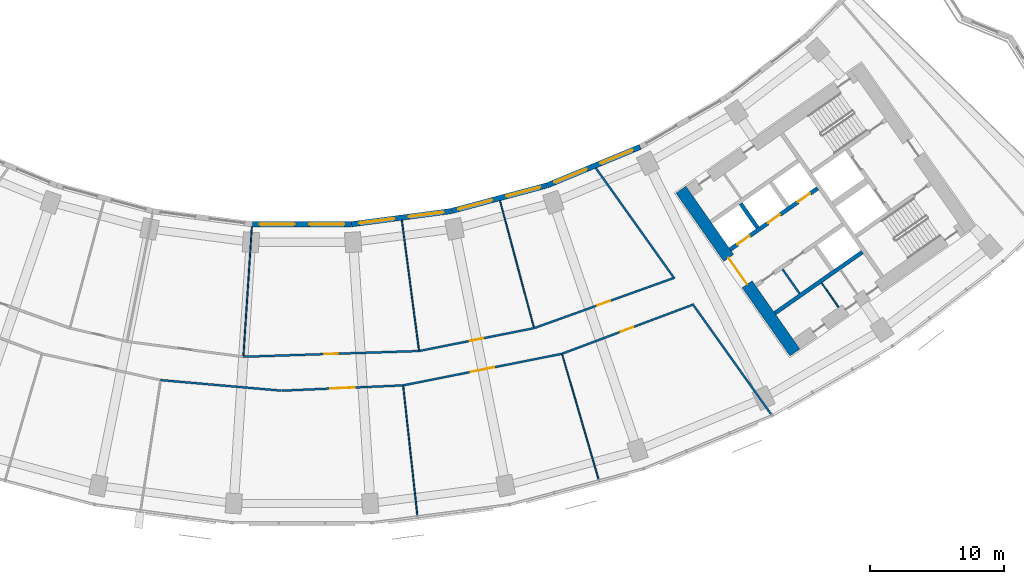
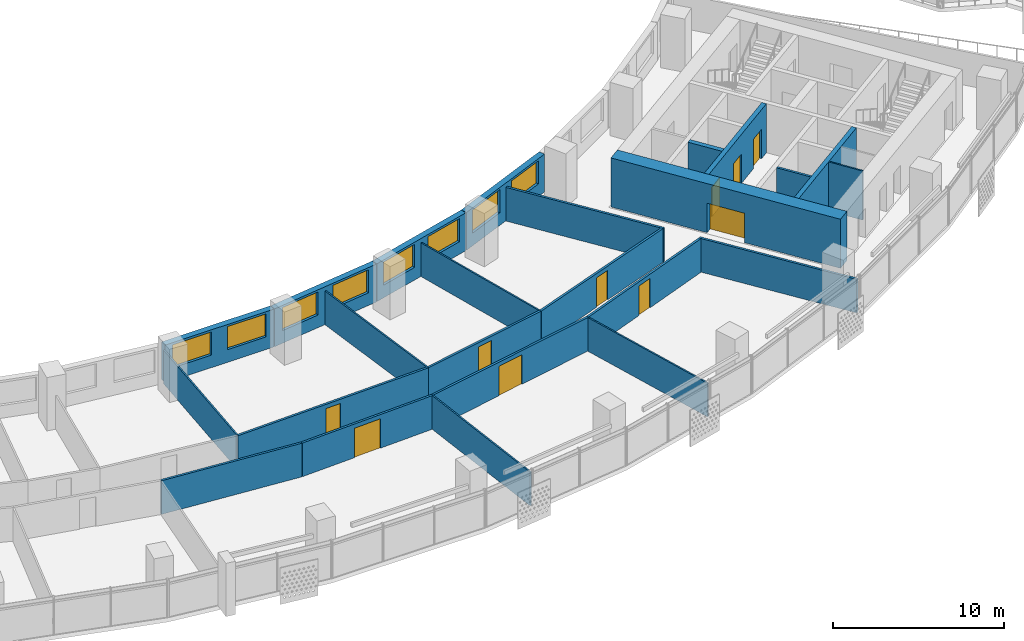
# One storey, part 6 of 30: 24 walls, 10 doors, 8 windows, 18 openings.
"""IFC4 building model written with IfcOpenShell, lengths in metres."""

from ifc_helpers import new_model, si_unit, direction, frame, frame_2d, origin, place, context, subcontext, project, spatial, rectangle, extrude, material, layer, layer_set, type_object, element, fill, save


model = new_model("IFC4")

# Units and contexts
model_context = context("Model", 3, precision=1e-05, world=origin(), true_north=direction((0.0, 1.0)))
body_context = subcontext(model_context, "Body", "Model", "MODEL_VIEW")
ifc_project = project(units=[si_unit("LENGTHUNIT", "METRE"), si_unit("AREAUNIT", "SQUARE_METRE"), si_unit("VOLUMEUNIT", "CUBIC_METRE"), si_unit("PLANEANGLEUNIT", "RADIAN"), si_unit("MASSUNIT", "GRAM", prefix="KILO")], contexts=[model_context])

# Site, building, storey
site_placement = place(None, origin())
site = spatial("IfcSite", under=ifc_project, at=site_placement, CompositionType="ELEMENT")
building_placement = place(site_placement, origin())
building = spatial("IfcBuilding", under=site, at=building_placement, Name="Qamariyya Broadcast Tower", CompositionType="ELEMENT")
storey_placement = place(building_placement, frame((0.0, 0.0, 98.699951171875)))
storey = spatial("IfcBuildingStorey", under=building, at=storey_placement, Name="L21", CompositionType="ELEMENT", Elevation=98.699951171875)

# Wall, opening, door
ifc_material_1 = material(Name="Concrete C70/85", Category="concrete")
ifc_layer_1 = layer(ifc_material_1, 0.89990234375)
ifc_layer_set_1 = layer_set([ifc_layer_1], Name="Core wall 900 mm Concrete C70/85")
wall_type_1 = type_object("IfcWallType", Name="Core wall 900 mm Concrete C70/85", PredefinedType="SHEAR", material=ifc_layer_set_1)
wall_1_placement = place(storey_placement, frame((36.716796875, -66.3369140625, 0.0), z_axis=(0.0, 0.0, 1.0), x_axis=(-0.573577477574, 0.819151315216, 0.0)))
wall_1 = element("IfcWall", 1, at=wall_1_placement, inside=storey, type_object=wall_type_1, Name="k-E-L21-WA", PredefinedType="SHEAR", context=body_context, shape_type="SweptSolid", body=[
    extrude(rectangle(XDim=14.800048828125, YDim=0.89990234375, at=frame_2d((7.39990234375, 0.0))), origin(), (0.0, 0.0, 1.0), 3.5),
])
opening_1_placement = place(wall_1_placement, frame((6.199951171875, 0.0, 0.0)))
opening_1 = element("IfcOpeningElement", 2, at=opening_1_placement, cuts=wall_1, Name="Opening KD3-E1", PredefinedType="OPENING", context=body_context, shape_type="SweptSolid", body=[
    extrude(rectangle(XDim=2.39990234375, YDim=2.10009765625, at=frame_2d((1.199951171875, 1.050048828125))), frame((0.0, 0.4599609375, 0.0), z_axis=(0.0, -1.0, 0.0), x_axis=(1.0, 0.0, 0.0)), (0.0, 0.0, 1.0), 0.919921875),
])
ifc_material_2 = material(Name="Steel fire-resisting door leaf", Category="steel")
door_type_1 = type_object("IfcDoorType", Name="Lift lobby door KD3", OperationType="DOUBLE_DOOR_SINGLE_SWING", PredefinedType="DOOR", material=ifc_material_2)
door_1_placement = place(opening_1_placement, origin())
door_1 = element("IfcDoor", 3, at=door_1_placement, inside=storey, type_object=door_type_1, Name="k-E-L21-WA-D1", OperationType="DOUBLE_DOOR_SINGLE_SWING", OverallHeight=2.10009765625, OverallWidth=2.39990234375, PredefinedType="DOOR", context=body_context, shape_type="SweptSolid", body=[
    extrude(rectangle(XDim=2.39990234375, YDim=2.10009765625, at=frame_2d((1.199951171875, 1.050048828125))), frame((0.0, 0.02490234375, 0.0), z_axis=(0.0, -1.0, 0.0), x_axis=(1.0, 0.0, 0.0)), (0.0, 0.0, 1.0), 0.050048828125),
])
fill(opening_1, door_1)

# Wall
ifc_material_3 = material(Name="Gypsum board partition")
ifc_layer_2 = layer(ifc_material_3, 0.14990234375)
ifc_layer_set_2 = layer_set([ifc_layer_2], Name="Corridor partition 150 EI 60")
wall_type_2 = type_object("IfcWallType", Name="Corridor partition 150 EI 60", PredefinedType="PARTITIONING", material=ifc_layer_set_2)
wall_2_placement = place(storey_placement, frame((-10.52880859375, -68.394287109375, 0.0), z_axis=(0.0, 0.0, 1.0), x_axis=(0.996191402343, -0.087193405131, 0.0)))
element("IfcWall", 4, at=wall_2_placement, inside=storey, type_object=wall_type_2, Name="Partition L21-019", PredefinedType="PARTITIONING", context=body_context, shape_type="SweptSolid", body=[
    extrude(rectangle(XDim=9.0439453125, YDim=0.14990234375, at=frame_2d((4.52197265625, 0.0))), origin(), (0.0, 0.0, 1.0), 2.400146484375),
])

# Wall, opening, door
wall_3_placement = place(storey_placement, frame((-4.368896484375, -66.656982421875, 0.0), z_axis=(0.0, 0.0, 1.0), x_axis=(0.999464573422, 0.032719512141, 0.0)))
wall_3 = element("IfcWall", 5, at=wall_3_placement, inside=storey, type_object=wall_type_2, Name="Partition L21-020", PredefinedType="PARTITIONING", context=body_context, shape_type="SweptSolid", body=[
    extrude(rectangle(XDim=13.09521484375, YDim=0.14990234375, at=frame_2d((6.547607421875, 0.0))), origin(), (0.0, 0.0, 1.0), 2.400146484375),
])
opening_2_placement = place(wall_3_placement, frame((6.047607421875, 0.0, 0.0)))
opening_2 = element("IfcOpeningElement", 6, at=opening_2_placement, cuts=wall_3, Name="Opening L21-D09", PredefinedType="OPENING", context=body_context, shape_type="SweptSolid", body=[
    extrude(rectangle(XDim=1.0, YDim=2.10009765625, at=frame_2d((0.5, 1.050048828125))), frame((0.0, 0.0849609375, 0.0), z_axis=(0.0, -1.0, 0.0), x_axis=(1.0, 0.0, 0.0)), (0.0, 0.0, 1.0), 0.169921875),
])
ifc_material_4 = material(Name="Timber fire door leaf", Category="wood")
door_type_2 = type_object("IfcDoorType", Name="Fire door 1000 x 2100 FD60", OperationType="NOTDEFINED", PredefinedType="DOOR", material=ifc_material_4)
door_2_placement = place(opening_2_placement, origin())
door_2 = element("IfcDoor", 7, at=door_2_placement, inside=storey, type_object=door_type_2, Name="Door L21-D09", OperationType="SINGLE_SWING_RIGHT", OverallHeight=2.10009765625, OverallWidth=1.0, PredefinedType="DOOR", context=body_context, shape_type="SweptSolid", body=[
    extrude(rectangle(XDim=1.0, YDim=2.10009765625, at=frame_2d((0.5, 1.050048828125))), frame((0.0, 0.02490234375, 0.0), z_axis=(0.0, -1.0, 0.0), x_axis=(1.0, 0.0, 0.0)), (0.0, 0.0, 1.0), 0.050048828125),
])
fill(opening_2, door_2)

wall_4_placement = place(storey_placement, frame((7.53173828125, -68.788818359375, 0.0), z_axis=(0.0, 0.0, 1.0), x_axis=(-0.999049218693, -0.043596543765, 0.0)))
wall_4 = element("IfcWall", 8, at=wall_4_placement, inside=storey, type_object=wall_type_2, Name="Partition L21-022", PredefinedType="PARTITIONING", context=body_context, shape_type="SweptSolid", body=[
    extrude(rectangle(XDim=9.0439453125, YDim=0.14990234375, at=frame_2d((4.52197265625, 0.0))), origin(), (0.0, 0.0, 1.0), 2.400146484375),
])
opening_3_placement = place(wall_4_placement, frame((3.621826171875, 0.0, 0.0)))
opening_3 = element("IfcOpeningElement", 9, at=opening_3_placement, cuts=wall_4, Name="Opening L21-D03", PredefinedType="OPENING", context=body_context, shape_type="SweptSolid", body=[
    extrude(rectangle(XDim=1.800048828125, YDim=2.10009765625, at=frame_2d((0.89990234375, 1.050048828125))), frame((0.0, 0.0849609375, 0.0), z_axis=(0.0, -1.0, 0.0), x_axis=(1.0, 0.0, 0.0)), (0.0, 0.0, 1.0), 0.169921875),
])
door_type_3 = type_object("IfcDoorType", Name="Double fire door 1800 x 2100 FD60", OperationType="NOTDEFINED", PredefinedType="DOOR", material=ifc_material_4)
door_3_placement = place(opening_3_placement, origin())
door_3 = element("IfcDoor", 10, at=door_3_placement, inside=storey, type_object=door_type_3, Name="Door L21-D03", OperationType="DOUBLE_DOOR_SINGLE_SWING", OverallHeight=2.10009765625, OverallWidth=1.800048828125, PredefinedType="DOOR", context=body_context, shape_type="SweptSolid", body=[
    extrude(rectangle(XDim=1.800048828125, YDim=2.10009765625, at=frame_2d((0.89990234375, 1.050048828125))), frame((0.0, 0.02490234375, 0.0), z_axis=(0.0, -1.0, 0.0), x_axis=(1.0, 0.0, 0.0)), (0.0, 0.0, 1.0), 0.050048828125),
])
fill(opening_3, door_3)

wall_5_placement = place(storey_placement, frame((19.365966796875, -66.434814453125, 0.0), z_axis=(0.0, 0.0, 1.0), x_axis=(-0.980784812657, -0.195092673522, 0.0)))
wall_5 = element("IfcWall", 11, at=wall_5_placement, inside=storey, type_object=wall_type_2, Name="Partition L21-024", PredefinedType="PARTITIONING", context=body_context, shape_type="SweptSolid", body=[
    extrude(rectangle(XDim=12.066162109375, YDim=0.14990234375, at=frame_2d((6.033203125, 0.0))), origin(), (0.0, 0.0, 1.0), 2.400146484375),
])
opening_4_placement = place(wall_5_placement, frame((5.133056640625, 0.0, 0.0)))
opening_4 = element("IfcOpeningElement", 12, at=opening_4_placement, cuts=wall_5, Name="Opening L21-D04", PredefinedType="OPENING", context=body_context, shape_type="SweptSolid", body=[
    extrude(rectangle(XDim=1.800048828125, YDim=2.10009765625, at=frame_2d((0.89990234375, 1.050048828125))), frame((0.0, 0.0849609375, 0.0), z_axis=(0.0, -1.0, 0.0), x_axis=(1.0, 0.0, 0.0)), (0.0, 0.0, 1.0), 0.169921875),
])
door_4_placement = place(opening_4_placement, origin())
door_4 = element("IfcDoor", 13, at=door_4_placement, inside=storey, type_object=door_type_3, Name="Door L21-D04", OperationType="DOUBLE_DOOR_SINGLE_SWING", OverallHeight=2.10009765625, OverallWidth=1.800048828125, PredefinedType="DOOR", context=body_context, shape_type="SweptSolid", body=[
    extrude(rectangle(XDim=1.800048828125, YDim=2.10009765625, at=frame_2d((0.89990234375, 1.050048828125))), frame((0.0, 0.02490234375, 0.0), z_axis=(0.0, -1.0, 0.0), x_axis=(1.0, 0.0, 0.0)), (0.0, 0.0, 1.0), 0.050048828125),
])
fill(opening_4, door_4)

wall_6_placement = place(storey_placement, frame((8.71923828125, -66.228515625, 0.0), z_axis=(0.0, 0.0, 1.0), x_axis=(0.980786466832, 0.195084357342, 0.0)))
wall_6 = element("IfcWall", 14, at=wall_6_placement, inside=storey, type_object=wall_type_2, Name="Partition L21-026", PredefinedType="PARTITIONING", context=body_context, shape_type="SweptSolid", body=[
    extrude(rectangle(XDim=8.73779296875, YDim=0.14990234375, at=frame_2d((4.368896484375, 0.0))), origin(), (0.0, 0.0, 1.0), 2.400146484375),
])
opening_5_placement = place(wall_6_placement, frame((3.868896484375, 0.0, 0.0)))
opening_5 = element("IfcOpeningElement", 15, at=opening_5_placement, cuts=wall_6, Name="Opening L21-D10", PredefinedType="OPENING", context=body_context, shape_type="SweptSolid", body=[
    extrude(rectangle(XDim=1.0, YDim=2.10009765625, at=frame_2d((0.5, 1.050048828125))), frame((0.0, 0.0849609375, 0.0), z_axis=(0.0, -1.0, 0.0), x_axis=(1.0, 0.0, 0.0)), (0.0, 0.0, 1.0), 0.169921875),
])
door_5_placement = place(opening_5_placement, origin())
door_5 = element("IfcDoor", 16, at=door_5_placement, inside=storey, type_object=door_type_2, Name="Door L21-D10", OperationType="SINGLE_SWING_RIGHT", OverallHeight=2.10009765625, OverallWidth=1.0, PredefinedType="DOOR", context=body_context, shape_type="SweptSolid", body=[
    extrude(rectangle(XDim=1.0, YDim=2.10009765625, at=frame_2d((0.5, 1.050048828125))), frame((0.0, 0.02490234375, 0.0), z_axis=(0.0, -1.0, 0.0), x_axis=(1.0, 0.0, 0.0)), (0.0, 0.0, 1.0), 0.050048828125),
])
fill(opening_5, door_5)

wall_7_placement = place(storey_placement, frame((17.2890625, -64.52392578125, 0.0), z_axis=(0.0, 0.0, 1.0), x_axis=(0.941150861554, 0.337986768669, 0.0)))
wall_7 = element("IfcWall", 17, at=wall_7_placement, inside=storey, type_object=wall_type_2, Name="Partition L21-028", PredefinedType="PARTITIONING", context=body_context, shape_type="SweptSolid", body=[
    extrude(rectangle(XDim=10.998291015625, YDim=0.14990234375, at=frame_2d((5.4990234375, 0.0))), origin(), (0.0, 0.0, 1.0), 2.400146484375),
])
opening_6_placement = place(wall_7_placement, frame((4.9990234375, 0.0, 0.0)))
opening_6 = element("IfcOpeningElement", 18, at=opening_6_placement, cuts=wall_7, Name="Opening L21-D11", PredefinedType="OPENING", context=body_context, shape_type="SweptSolid", body=[
    extrude(rectangle(XDim=1.0, YDim=2.10009765625, at=frame_2d((0.5, 1.050048828125))), frame((0.0, 0.0849609375, 0.0), z_axis=(0.0, -1.0, 0.0), x_axis=(1.0, 0.0, 0.0)), (0.0, 0.0, 1.0), 0.169921875),
])
door_6_placement = place(opening_6_placement, origin())
door_6 = element("IfcDoor", 19, at=door_6_placement, inside=storey, type_object=door_type_2, Name="Door L21-D11", OperationType="SINGLE_SWING_RIGHT", OverallHeight=2.10009765625, OverallWidth=1.0, PredefinedType="DOOR", context=body_context, shape_type="SweptSolid", body=[
    extrude(rectangle(XDim=1.0, YDim=2.10009765625, at=frame_2d((0.5, 1.050048828125))), frame((0.0, 0.02490234375, 0.0), z_axis=(0.0, -1.0, 0.0), x_axis=(1.0, 0.0, 0.0)), (0.0, 0.0, 1.0), 0.050048828125),
])
fill(opening_6, door_6)

wall_8_placement = place(storey_placement, frame((29.057373046875, -62.797607421875, 0.0), z_axis=(0.0, 0.0, 1.0), x_axis=(-0.936236096431, -0.351371557956, 0.0)))
wall_8 = element("IfcWall", 20, at=wall_8_placement, inside=storey, type_object=wall_type_2, Name="Partition L21-029", PredefinedType="PARTITIONING", context=body_context, shape_type="SweptSolid", body=[
    extrude(rectangle(XDim=10.3515625, YDim=0.14990234375, at=frame_2d((5.17578125, 0.0))), origin(), (0.0, 0.0, 1.0), 2.400146484375),
])
opening_7_placement = place(wall_8_placement, frame((4.67578125, 0.0, 0.0)))
opening_7 = element("IfcOpeningElement", 21, at=opening_7_placement, cuts=wall_8, Name="Opening L21-D05", PredefinedType="OPENING", context=body_context, shape_type="SweptSolid", body=[
    extrude(rectangle(XDim=1.0, YDim=2.10009765625, at=frame_2d((0.5, 1.050048828125))), frame((0.0, 0.0849609375, 0.0), z_axis=(0.0, -1.0, 0.0), x_axis=(1.0, 0.0, 0.0)), (0.0, 0.0, 1.0), 0.169921875),
])
door_7_placement = place(opening_7_placement, origin())
door_7 = element("IfcDoor", 22, at=door_7_placement, inside=storey, type_object=door_type_2, Name="Door L21-D05", OperationType="SINGLE_SWING_RIGHT", OverallHeight=2.10009765625, OverallWidth=1.0, PredefinedType="DOOR", context=body_context, shape_type="SweptSolid", body=[
    extrude(rectangle(XDim=1.0, YDim=2.10009765625, at=frame_2d((0.5, 1.050048828125))), frame((0.0, 0.02490234375, 0.0), z_axis=(0.0, -1.0, 0.0), x_axis=(1.0, 0.0, 0.0)), (0.0, 0.0, 1.0), 0.050048828125),
])
fill(opening_7, door_7)

# Walls
wall_9_placement = place(storey_placement, frame((21.8837890625, -52.59765625, 0.0), z_axis=(0.0, 0.0, 1.0), x_axis=(0.580016763963, -0.814604538118, 0.0)))
element("IfcWall", 23, at=wall_9_placement, inside=storey, type_object=wall_type_2, Name="Partition L21-030", PredefinedType="PARTITIONING", context=body_context, shape_type="SweptSolid", body=[
    extrude(rectangle(XDim=10.12109375, YDim=0.14990234375, at=frame_2d((5.060546875, 0.0))), origin(), (0.0, 0.0, 1.0), 2.400146484375),
])
wall_10_placement = place(storey_placement, frame((29.083984375, -62.710205078125, 0.0), z_axis=(0.0, 0.0, 1.0), x_axis=(0.580031092611, -0.814594335608, 0.0)))
element("IfcWall", 24, at=wall_10_placement, inside=storey, type_object=wall_type_2, Name="Partition L21-032", PredefinedType="PARTITIONING", context=body_context, shape_type="SweptSolid", body=[
    extrude(rectangle(XDim=10.126220703125, YDim=0.14990234375, at=frame_2d((5.06298828125, 0.0))), origin(), (0.0, 0.0, 1.0), 2.400146484375),
])
ifc_material_5 = material(Name="Gypsum board partition on steel studs", Category="steel")
ifc_layer_3 = layer(ifc_material_5, 0.14990234375)
ifc_layer_set_3 = layer_set([ifc_layer_3], Name="Gypsum board partition 150 mm")
wall_type_3 = type_object("IfcWallType", Name="Gypsum board partition 150 mm", PredefinedType="PARTITIONING", material=ifc_layer_set_3)
wall_11_placement = place(storey_placement, frame((35.79833984375, -60.143798828125, 0.0), z_axis=(0.0, 0.0, 1.0), x_axis=(0.573633636671, -0.819111989218, 0.0)))
element("IfcWall", 25, at=wall_11_placement, inside=storey, type_object=wall_type_3, Name="k-E-L21-SC235", PredefinedType="PARTITIONING", context=body_context, shape_type="SweptSolid", body=[
    extrude(rectangle(XDim=2.199951171875, YDim=0.14990234375, at=frame_2d((1.10009765625, 0.0))), origin(), (0.0, 0.0, 1.0), 3.5),
])

# Wall, openings, doors
ifc_material_6 = material(Name="Concrete C60/75", Category="concrete")
ifc_layer_4 = layer(ifc_material_6, 0.300048828125)
ifc_layer_set_4 = layer_set([ifc_layer_4], Name="Lift shaft wall 300 mm Concrete C60/75")
wall_type_4 = type_object("IfcWallType", Name="Lift shaft wall 300 mm Concrete C60/75", PredefinedType="SOLIDWALL", material=ifc_layer_set_4)
wall_12_placement = place(storey_placement, frame((31.89453125, -58.66552734375, 0.0), z_axis=(0.0, 0.0, 1.0), x_axis=(0.819166993208, 0.573555086491, 0.0)))
wall_12 = element("IfcWall", 26, at=wall_12_placement, inside=storey, type_object=wall_type_4, Name="k-E-L21-NF0", PredefinedType="SOLIDWALL", context=body_context, shape_type="SweptSolid", body=[
    extrude(rectangle(XDim=7.9501953125, YDim=0.300048828125, at=frame_2d((3.97509765625, 0.0))), origin(), (0.0, 0.0, 1.0), 3.5),
])
opening_8_placement = place(wall_12_placement, frame((0.675048828125, 0.0, 0.0)))
opening_8 = element("IfcOpeningElement", 27, at=opening_8_placement, cuts=wall_12, Name="Opening LD", PredefinedType="OPENING", context=body_context, shape_type="SweptSolid", body=[
    extrude(rectangle(XDim=1.10009765625, YDim=2.10009765625, at=frame_2d((0.550048828125, 1.050048828125))), frame((0.0, 0.159912109375, 0.0), z_axis=(0.0, -1.0, 0.0), x_axis=(1.0, 0.0, 0.0)), (0.0, 0.0, 1.0), 0.320068359375),
])
opening_9_placement = place(wall_12_placement, frame((3.425048828125, 0.0, 0.0)))
opening_9 = element("IfcOpeningElement", 28, at=opening_9_placement, cuts=wall_12, Name="Opening LD", PredefinedType="OPENING", context=body_context, shape_type="SweptSolid", body=[
    extrude(rectangle(XDim=1.10009765625, YDim=2.10009765625, at=frame_2d((0.550048828125, 1.050048828125))), frame((0.0, 0.159912109375, 0.0), z_axis=(0.0, -1.0, 0.0), x_axis=(1.0, 0.0, 0.0)), (0.0, 0.0, 1.0), 0.320068359375),
])
opening_10_placement = place(wall_12_placement, frame((6.175048828125, 0.0, 0.0)))
opening_10 = element("IfcOpeningElement", 29, at=opening_10_placement, cuts=wall_12, Name="Opening LD", PredefinedType="OPENING", context=body_context, shape_type="SweptSolid", body=[
    extrude(rectangle(XDim=1.10009765625, YDim=2.10009765625, at=frame_2d((0.550048828125, 1.050048828125))), frame((0.0, 0.159912109375, 0.0), z_axis=(0.0, -1.0, 0.0), x_axis=(1.0, 0.0, 0.0)), (0.0, 0.0, 1.0), 0.320068359375),
])
door_type_4 = type_object("IfcDoorType", Name="Lift landing door LD", OperationType="DOUBLE_DOOR_SLIDING", PredefinedType="DOOR", material=ifc_material_2)
door_8_placement = place(opening_8_placement, origin())
door_8 = element("IfcDoor", 30, at=door_8_placement, inside=storey, type_object=door_type_4, Name="k-E-L21-NF0-D2", OperationType="DOUBLE_DOOR_SLIDING", OverallHeight=2.10009765625, OverallWidth=1.10009765625, PredefinedType="DOOR", context=body_context, shape_type="SweptSolid", body=[
    extrude(rectangle(XDim=1.10009765625, YDim=2.10009765625, at=frame_2d((0.550048828125, 1.050048828125))), frame((0.0, 0.02490234375, 0.0), z_axis=(0.0, -1.0, 0.0), x_axis=(1.0, 0.0, 0.0)), (0.0, 0.0, 1.0), 0.050048828125),
])
fill(opening_8, door_8)
door_9_placement = place(opening_9_placement, origin())
door_9 = element("IfcDoor", 31, at=door_9_placement, inside=storey, type_object=door_type_4, Name="k-E-L21-NF0-D3", OperationType="DOUBLE_DOOR_SLIDING", OverallHeight=2.10009765625, OverallWidth=1.10009765625, PredefinedType="DOOR", context=body_context, shape_type="SweptSolid", body=[
    extrude(rectangle(XDim=1.10009765625, YDim=2.10009765625, at=frame_2d((0.550048828125, 1.050048828125))), frame((0.0, 0.02490234375, 0.0), z_axis=(0.0, -1.0, 0.0), x_axis=(1.0, 0.0, 0.0)), (0.0, 0.0, 1.0), 0.050048828125),
])
fill(opening_9, door_9)
door_10_placement = place(opening_10_placement, origin())
door_10 = element("IfcDoor", 32, at=door_10_placement, inside=storey, type_object=door_type_4, Name="k-E-L21-NF0-D4", OperationType="DOUBLE_DOOR_SLIDING", OverallHeight=2.10009765625, OverallWidth=1.10009765625, PredefinedType="DOOR", context=body_context, shape_type="SweptSolid", body=[
    extrude(rectangle(XDim=1.10009765625, YDim=2.10009765625, at=frame_2d((0.550048828125, 1.050048828125))), frame((0.0, 0.02490234375, 0.0), z_axis=(0.0, -1.0, 0.0), x_axis=(1.0, 0.0, 0.0)), (0.0, 0.0, 1.0), 0.050048828125),
])
fill(opening_10, door_10)

# Walls
wall_13_placement = place(storey_placement, frame((33.9384765625, -57.051513671875, 0.0), z_axis=(0.0, 0.0, 1.0), x_axis=(-0.573581496053, 0.819148501424, 0.0)))
element("IfcWall", 33, at=wall_13_placement, inside=storey, type_object=wall_type_4, Name="k-E-L21-ND0", PredefinedType="SOLIDWALL", context=body_context, shape_type="SweptSolid", body=[
    extrude(rectangle(XDim=2.2001953125, YDim=0.300048828125, at=frame_2d((1.10009765625, 0.0))), origin(), (0.0, 0.0, 1.0), 3.5),
])
wall_14_placement = place(storey_placement, frame((35.22119140625, -63.41650390625, 0.0), z_axis=(0.0, 0.0, 1.0), x_axis=(0.819166993208, 0.573555086491, 0.0)))
element("IfcWall", 34, at=wall_14_placement, inside=storey, type_object=wall_type_4, Name="k-E-L21-SB0", PredefinedType="SOLIDWALL", context=body_context, shape_type="SweptSolid", body=[
    extrude(rectangle(XDim=7.9501953125, YDim=0.300048828125, at=frame_2d((3.97509765625, 0.0))), origin(), (0.0, 0.0, 1.0), 3.5),
])
ifc_layer_5 = layer(ifc_material_3, 0.10009765625)
ifc_layer_set_5 = layer_set([ifc_layer_5], Name="Partition 100")
wall_type_5 = type_object("IfcWallType", Name="Partition 100", PredefinedType="PARTITIONING", material=ifc_layer_set_5)
wall_15_placement = place(storey_placement, frame((-3.734619140625, -56.977783203125, 0.0), z_axis=(0.0, 0.0, 1.0), x_axis=(-0.065392665599, -0.997859609006, 0.0)))
element("IfcWall", 35, at=wall_15_placement, inside=storey, type_object=wall_type_5, Name="Partition L21-021", PredefinedType="PARTITIONING", context=body_context, shape_type="SweptSolid", body=[
    extrude(rectangle(XDim=9.624755859375, YDim=0.10009765625, at=frame_2d((4.8125, 0.0))), origin(), (0.0, 0.0, 1.0), 2.400146484375),
])
wall_16_placement = place(storey_placement, frame((7.437255859375, -56.4912109375, 0.0), z_axis=(0.0, 0.0, 1.0), x_axis=(0.13053421433, -0.99144380521, 0.0)))
element("IfcWall", 36, at=wall_16_placement, inside=storey, type_object=wall_type_5, Name="Partition L21-023", PredefinedType="PARTITIONING", context=body_context, shape_type="SweptSolid", body=[
    extrude(rectangle(XDim=9.746337890625, YDim=0.10009765625, at=frame_2d((4.873046875, 0.0))), origin(), (0.0, 0.0, 1.0), 2.400146484375),
])
wall_17_placement = place(storey_placement, frame((8.5927734375, -78.47998046875, 0.0), z_axis=(0.0, 0.0, 1.0), x_axis=(-0.10884699726, 0.994058514972, 0.0)))
element("IfcWall", 37, at=wall_17_placement, inside=storey, type_object=wall_type_5, Name="Partition L21-025", PredefinedType="PARTITIONING", context=body_context, shape_type="SweptSolid", body=[
    extrude(rectangle(XDim=9.673828125, YDim=0.10009765625, at=frame_2d((4.8369140625, 0.0))), origin(), (0.0, 0.0, 1.0), 2.400146484375),
])
wall_18_placement = place(storey_placement, frame((14.7470703125, -55.037109375, 0.0), z_axis=(0.0, 0.0, 1.0), x_axis=(0.258833329344, -0.965921998725, 0.0)))
element("IfcWall", 38, at=wall_18_placement, inside=storey, type_object=wall_type_5, Name="Partition L21-027", PredefinedType="PARTITIONING", context=body_context, shape_type="SweptSolid", body=[
    extrude(rectangle(XDim=9.746337890625, YDim=0.10009765625, at=frame_2d((4.873046875, 0.0))), origin(), (0.0, 0.0, 1.0), 2.400146484375),
])
wall_19_placement = place(storey_placement, frame((22.09423828125, -75.79443359375, 0.0), z_axis=(0.0, 0.0, 1.0), x_axis=(-0.279846881911, 0.960044646194, 0.0)))
element("IfcWall", 39, at=wall_19_placement, inside=storey, type_object=wall_type_5, Name="Partition L21-031", PredefinedType="PARTITIONING", context=body_context, shape_type="SweptSolid", body=[
    extrude(rectangle(XDim=9.674072265625, YDim=0.10009765625, at=frame_2d((4.8369140625, 0.0))), origin(), (0.0, 0.0, 1.0), 2.400146484375),
])
ifc_material_7 = material(Name="Fire-rated gypsum shaft liner on steel studs", Category="steel")
ifc_layer_6 = layer(ifc_material_7, 0.10009765625)
ifc_layer_set_6 = layer_set([ifc_layer_6], Name="Riser wall 100 mm")
wall_type_6 = type_object("IfcWallType", Name="Riser wall 100 mm", PredefinedType="PLUMBINGWALL", material=ifc_layer_set_6)
wall_20_placement = place(storey_placement, frame((38.706787109375, -61.1591796875, 0.0), z_axis=(0.0, 0.0, 1.0), x_axis=(0.573633636671, -0.819111989218, 0.0)))
element("IfcWall", 40, at=wall_20_placement, inside=storey, type_object=wall_type_6, Name="k-E-L21-SP415", PredefinedType="PLUMBINGWALL", context=body_context, shape_type="SweptSolid", body=[
    extrude(rectangle(XDim=2.199951171875, YDim=0.10009765625, at=frame_2d((1.10009765625, 0.0))), origin(), (0.0, 0.0, 1.0), 3.5),
])

# Wall, openings, windows
ifc_material_8 = material(Name="Terracotta", Category="masonry")
ifc_layer_7 = layer(ifc_material_8, 0.39990234375)
ifc_layer_set_7 = layer_set([ifc_layer_7], Name="Terracotta clad wall 400")
wall_type_7 = type_object("IfcWallType", Name="Terracotta clad wall 400", PredefinedType="SOLIDWALL", material=ifc_layer_set_7)
wall_21_placement = place(storey_placement, frame((11.12548828125, -55.803955078125, 0.0), z_axis=(0.0, 0.0, 1.0), x_axis=(-0.991444533306, -0.130528684121, 0.0)))
wall_21 = element("IfcWall", 41, at=wall_21_placement, inside=storey, type_object=wall_type_7, Name="e-wl-L21-in100", PredefinedType="SOLIDWALL", context=body_context, shape_type="SweptSolid", body=[
    extrude(rectangle(XDim=7.492919921875, YDim=0.39990234375, at=frame_2d((3.74658203125, 0.0))), origin(), (0.0, 0.0, 1.0), 2.699951171875),
])
opening_11_placement = place(wall_21_placement, frame((4.300537109375, 0.0, 0.89990234375)))
opening_11 = element("IfcOpeningElement", 42, at=opening_11_placement, cuts=wall_21, Name="Opening W1", PredefinedType="OPENING", context=body_context, shape_type="SweptSolid", body=[
    extrude(rectangle(XDim=2.60009765625, YDim=1.64990234375, at=frame_2d((1.300048828125, 0.824951171875))), frame((0.0, 0.2099609375, 0.0), z_axis=(0.0, -1.0, 0.0), x_axis=(1.0, 0.0, 0.0)), (0.0, 0.0, 1.0), 0.419921875),
])
opening_12_placement = place(wall_21_placement, frame((0.59228515625, 0.0, 0.89990234375)))
opening_12 = element("IfcOpeningElement", 43, at=opening_12_placement, cuts=wall_21, Name="Opening W1", PredefinedType="OPENING", context=body_context, shape_type="SweptSolid", body=[
    extrude(rectangle(XDim=2.60009765625, YDim=1.64990234375, at=frame_2d((1.300048828125, 0.824951171875))), frame((0.0, 0.2099609375, 0.0), z_axis=(0.0, -1.0, 0.0), x_axis=(1.0, 0.0, 0.0)), (0.0, 0.0, 1.0), 0.419921875),
])
ifc_material_9 = material(Name="Clear low-e double glazed unit in aluminium frame", Category="aluminium")
window_type = type_object("IfcWindowType", Name="Ribbon window 2600 x 1650", PartitioningType="SINGLE_PANEL", PredefinedType="WINDOW", material=ifc_material_9)
window_1_placement = place(opening_11_placement, origin())
window_1 = element("IfcWindow", 44, at=window_1_placement, inside=storey, type_object=window_type, Name="e-w-L21-in10-0", OverallHeight=1.64990234375, OverallWidth=2.60009765625, PartitioningType="SINGLE_PANEL", PredefinedType="WINDOW", context=body_context, shape_type="SweptSolid", body=[
    extrude(rectangle(XDim=2.60009765625, YDim=1.64990234375, at=frame_2d((1.300048828125, 0.824951171875))), frame((0.0, 0.030029296875, 0.0), z_axis=(0.0, -1.0, 0.0), x_axis=(1.0, 0.0, 0.0)), (0.0, 0.0, 1.0), 0.06005859375),
])
fill(opening_11, window_1)
window_2_placement = place(opening_12_placement, origin())
window_2 = element("IfcWindow", 45, at=window_2_placement, inside=storey, type_object=window_type, Name="e-w-L21-in10-1", OverallHeight=1.64990234375, OverallWidth=2.60009765625, PartitioningType="SINGLE_PANEL", PredefinedType="WINDOW", context=body_context, shape_type="SweptSolid", body=[
    extrude(rectangle(XDim=2.60009765625, YDim=1.64990234375, at=frame_2d((1.300048828125, 0.824951171875))), frame((0.0, 0.030029296875, 0.0), z_axis=(0.0, -1.0, 0.0), x_axis=(1.0, 0.0, 0.0)), (0.0, 0.0, 1.0), 0.06005859375),
])
fill(opening_12, window_2)

wall_22_placement = place(storey_placement, frame((18.240966796875, -53.893798828125, 0.0), z_axis=(0.0, 0.0, 1.0), x_axis=(-0.965924597867, -0.258823629594, 0.0)))
wall_22 = element("IfcWall", 46, at=wall_22_placement, inside=storey, type_object=wall_type_7, Name="e-wl-L21-in110", PredefinedType="SOLIDWALL", context=body_context, shape_type="SweptSolid", body=[
    extrude(rectangle(XDim=7.341552734375, YDim=0.39990234375, at=frame_2d((3.6708984375, 0.0))), origin(), (0.0, 0.0, 1.0), 2.699951171875),
])
opening_13_placement = place(wall_22_placement, frame((4.224853515625, 0.0, 0.89990234375)))
opening_13 = element("IfcOpeningElement", 47, at=opening_13_placement, cuts=wall_22, Name="Opening W1", PredefinedType="OPENING", context=body_context, shape_type="SweptSolid", body=[
    extrude(rectangle(XDim=2.60009765625, YDim=1.64990234375, at=frame_2d((1.300048828125, 0.824951171875))), frame((0.0, 0.2099609375, 0.0), z_axis=(0.0, -1.0, 0.0), x_axis=(1.0, 0.0, 0.0)), (0.0, 0.0, 1.0), 0.419921875),
])
opening_14_placement = place(wall_22_placement, frame((0.5166015625, 0.0, 0.89990234375)))
opening_14 = element("IfcOpeningElement", 48, at=opening_14_placement, cuts=wall_22, Name="Opening W1", PredefinedType="OPENING", context=body_context, shape_type="SweptSolid", body=[
    extrude(rectangle(XDim=2.60009765625, YDim=1.64990234375, at=frame_2d((1.300048828125, 0.824951171875))), frame((0.0, 0.2099609375, 0.0), z_axis=(0.0, -1.0, 0.0), x_axis=(1.0, 0.0, 0.0)), (0.0, 0.0, 1.0), 0.419921875),
])
window_3_placement = place(opening_13_placement, origin())
window_3 = element("IfcWindow", 49, at=window_3_placement, inside=storey, type_object=window_type, Name="e-w-L21-in11-0", OverallHeight=1.64990234375, OverallWidth=2.60009765625, PartitioningType="SINGLE_PANEL", PredefinedType="WINDOW", context=body_context, shape_type="SweptSolid", body=[
    extrude(rectangle(XDim=2.60009765625, YDim=1.64990234375, at=frame_2d((1.300048828125, 0.824951171875))), frame((0.0, 0.030029296875, 0.0), z_axis=(0.0, -1.0, 0.0), x_axis=(1.0, 0.0, 0.0)), (0.0, 0.0, 1.0), 0.06005859375),
])
fill(opening_13, window_3)
window_4_placement = place(opening_14_placement, origin())
window_4 = element("IfcWindow", 50, at=window_4_placement, inside=storey, type_object=window_type, Name="e-w-L21-in11-1", OverallHeight=1.64990234375, OverallWidth=2.60009765625, PartitioningType="SINGLE_PANEL", PredefinedType="WINDOW", context=body_context, shape_type="SweptSolid", body=[
    extrude(rectangle(XDim=2.60009765625, YDim=1.64990234375, at=frame_2d((1.300048828125, 0.824951171875))), frame((0.0, 0.030029296875, 0.0), z_axis=(0.0, -1.0, 0.0), x_axis=(1.0, 0.0, 0.0)), (0.0, 0.0, 1.0), 0.06005859375),
])
fill(opening_14, window_4)

wall_23_placement = place(storey_placement, frame((25.189453125, -51.02294921875, 0.0), z_axis=(0.0, 0.0, 1.0), x_axis=(-0.923879826967, -0.382682721486, 0.0)))
wall_23 = element("IfcWall", 51, at=wall_23_placement, inside=storey, type_object=wall_type_7, Name="e-wl-L21-in120", PredefinedType="SOLIDWALL", context=body_context, shape_type="SweptSolid", body=[
    extrude(rectangle(XDim=7.492919921875, YDim=0.39990234375, at=frame_2d((3.74658203125, 0.0))), origin(), (0.0, 0.0, 1.0), 2.699951171875),
])
opening_15_placement = place(wall_23_placement, frame((4.300537109375, 0.0, 0.89990234375)))
opening_15 = element("IfcOpeningElement", 52, at=opening_15_placement, cuts=wall_23, Name="Opening W1", PredefinedType="OPENING", context=body_context, shape_type="SweptSolid", body=[
    extrude(rectangle(XDim=2.60009765625, YDim=1.64990234375, at=frame_2d((1.300048828125, 0.824951171875))), frame((0.0, 0.2099609375, 0.0), z_axis=(0.0, -1.0, 0.0), x_axis=(1.0, 0.0, 0.0)), (0.0, 0.0, 1.0), 0.419921875),
])
opening_16_placement = place(wall_23_placement, frame((0.59228515625, 0.0, 0.89990234375)))
opening_16 = element("IfcOpeningElement", 53, at=opening_16_placement, cuts=wall_23, Name="Opening W1", PredefinedType="OPENING", context=body_context, shape_type="SweptSolid", body=[
    extrude(rectangle(XDim=2.60009765625, YDim=1.64990234375, at=frame_2d((1.300048828125, 0.824951171875))), frame((0.0, 0.2099609375, 0.0), z_axis=(0.0, -1.0, 0.0), x_axis=(1.0, 0.0, 0.0)), (0.0, 0.0, 1.0), 0.419921875),
])
window_5_placement = place(opening_15_placement, origin())
window_5 = element("IfcWindow", 54, at=window_5_placement, inside=storey, type_object=window_type, Name="e-w-L21-in12-0", OverallHeight=1.64990234375, OverallWidth=2.60009765625, PartitioningType="SINGLE_PANEL", PredefinedType="WINDOW", context=body_context, shape_type="SweptSolid", body=[
    extrude(rectangle(XDim=2.60009765625, YDim=1.64990234375, at=frame_2d((1.300048828125, 0.824951171875))), frame((0.0, 0.030029296875, 0.0), z_axis=(0.0, -1.0, 0.0), x_axis=(1.0, 0.0, 0.0)), (0.0, 0.0, 1.0), 0.06005859375),
])
fill(opening_15, window_5)
window_6_placement = place(opening_16_placement, origin())
window_6 = element("IfcWindow", 55, at=window_6_placement, inside=storey, type_object=window_type, Name="e-w-L21-in12-1", OverallHeight=1.64990234375, OverallWidth=2.60009765625, PartitioningType="SINGLE_PANEL", PredefinedType="WINDOW", context=body_context, shape_type="SweptSolid", body=[
    extrude(rectangle(XDim=2.60009765625, YDim=1.64990234375, at=frame_2d((1.300048828125, 0.824951171875))), frame((0.0, 0.030029296875, 0.0), z_axis=(0.0, -1.0, 0.0), x_axis=(1.0, 0.0, 0.0)), (0.0, 0.0, 1.0), 0.06005859375),
])
fill(opening_16, window_6)

wall_24_placement = place(storey_placement, frame((3.670654296875, -56.778564453125, 0.0), z_axis=(0.0, 0.0, 1.0), x_axis=(-1.0, 0.0, 0.0)))
wall_24 = element("IfcWall", 56, at=wall_24_placement, inside=storey, type_object=wall_type_7, Name="e-wl-L21-in90", PredefinedType="SOLIDWALL", context=body_context, shape_type="SweptSolid", body=[
    extrude(rectangle(XDim=7.34130859375, YDim=0.39990234375, at=frame_2d((3.670654296875, 0.0))), origin(), (0.0, 0.0, 1.0), 2.699951171875),
])
opening_17_placement = place(wall_24_placement, frame((4.224853515625, 0.0, 0.89990234375)))
opening_17 = element("IfcOpeningElement", 57, at=opening_17_placement, cuts=wall_24, Name="Opening W1", PredefinedType="OPENING", context=body_context, shape_type="SweptSolid", body=[
    extrude(rectangle(XDim=2.60009765625, YDim=1.64990234375, at=frame_2d((1.300048828125, 0.824951171875))), frame((0.0, 0.2099609375, 0.0), z_axis=(0.0, -1.0, 0.0), x_axis=(1.0, 0.0, 0.0)), (0.0, 0.0, 1.0), 0.419921875),
])
opening_18_placement = place(wall_24_placement, frame((0.5166015625, 0.0, 0.89990234375)))
opening_18 = element("IfcOpeningElement", 58, at=opening_18_placement, cuts=wall_24, Name="Opening W1", PredefinedType="OPENING", context=body_context, shape_type="SweptSolid", body=[
    extrude(rectangle(XDim=2.60009765625, YDim=1.64990234375, at=frame_2d((1.300048828125, 0.824951171875))), frame((0.0, 0.2099609375, 0.0), z_axis=(0.0, -1.0, 0.0), x_axis=(1.0, 0.0, 0.0)), (0.0, 0.0, 1.0), 0.419921875),
])
window_7_placement = place(opening_17_placement, origin())
window_7 = element("IfcWindow", 59, at=window_7_placement, inside=storey, type_object=window_type, Name="e-w-L21-in09-0", OverallHeight=1.64990234375, OverallWidth=2.60009765625, PartitioningType="SINGLE_PANEL", PredefinedType="WINDOW", context=body_context, shape_type="SweptSolid", body=[
    extrude(rectangle(XDim=2.60009765625, YDim=1.64990234375, at=frame_2d((1.300048828125, 0.824951171875))), frame((0.0, 0.030029296875, 0.0), z_axis=(0.0, -1.0, 0.0), x_axis=(1.0, 0.0, 0.0)), (0.0, 0.0, 1.0), 0.06005859375),
])
fill(opening_17, window_7)
window_8_placement = place(opening_18_placement, origin())
window_8 = element("IfcWindow", 60, at=window_8_placement, inside=storey, type_object=window_type, Name="e-w-L21-in09-1", OverallHeight=1.64990234375, OverallWidth=2.60009765625, PartitioningType="SINGLE_PANEL", PredefinedType="WINDOW", context=body_context, shape_type="SweptSolid", body=[
    extrude(rectangle(XDim=2.60009765625, YDim=1.64990234375, at=frame_2d((1.300048828125, 0.824951171875))), frame((0.0, 0.030029296875, 0.0), z_axis=(0.0, -1.0, 0.0), x_axis=(1.0, 0.0, 0.0)), (0.0, 0.0, 1.0), 0.06005859375),
])
fill(opening_18, window_8)

save(model, "model.ifc")
